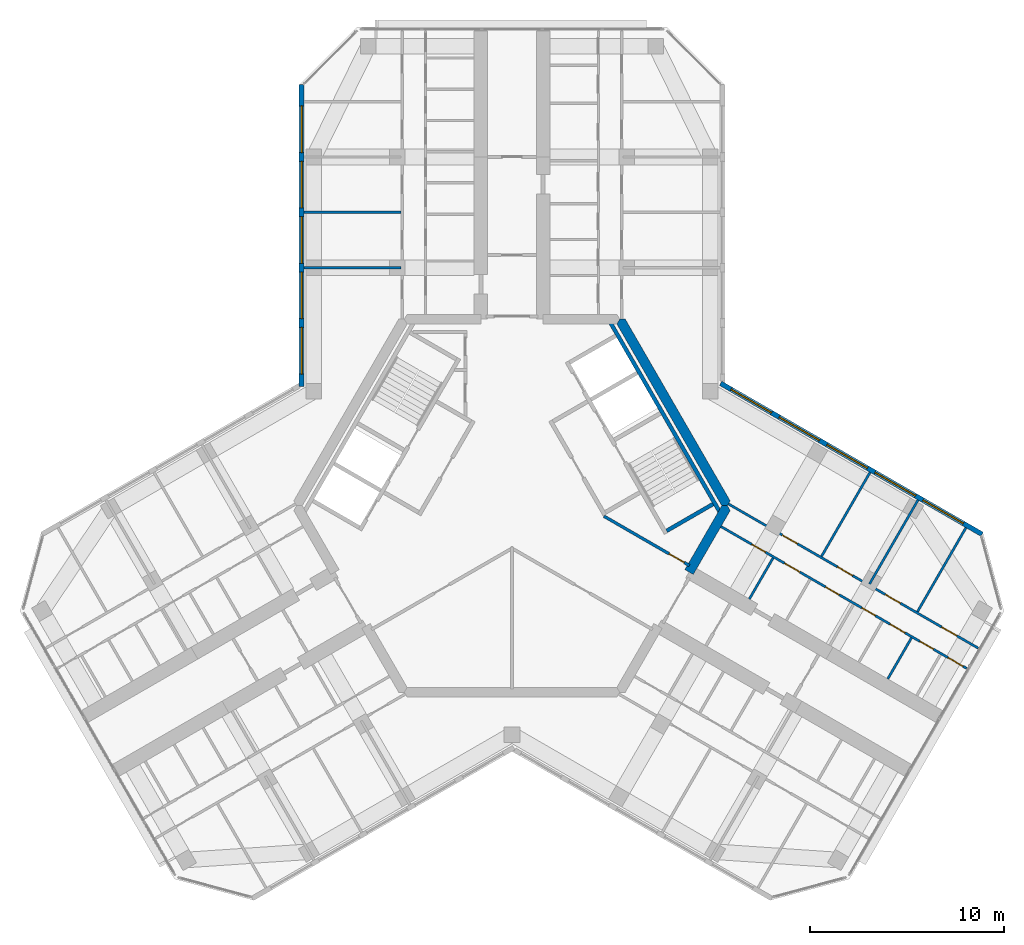
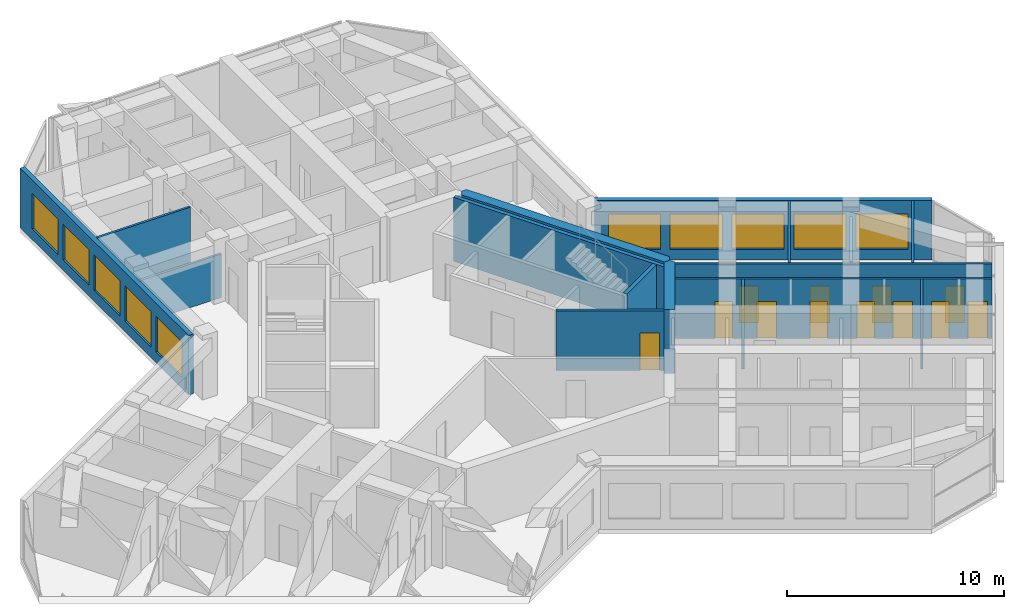
# One storey, part 11 of 14: 16 walls, 12 doors, 10 windows, 22 openings.
"""IFC4 building model written with IfcOpenShell, lengths in metres."""

from ifc_helpers import new_model, si_unit, direction, frame, frame_2d, origin, place, context, subcontext, project, spatial, polyline, rectangle, outline, extrude, material, layer, layer_set, type_object, element, fill, save


model = new_model("IFC4")

# Units and contexts
model_context = context("Model", 3, precision=1e-05, world=origin(), true_north=direction((0.0, 1.0)))
body_context = subcontext(model_context, "Body", "Model", "MODEL_VIEW")
ifc_project = project(units=[si_unit("LENGTHUNIT", "METRE"), si_unit("AREAUNIT", "SQUARE_METRE"), si_unit("VOLUMEUNIT", "CUBIC_METRE"), si_unit("PLANEANGLEUNIT", "RADIAN"), si_unit("MASSUNIT", "GRAM", prefix="KILO")], contexts=[model_context])

# Site, building, storey
site_placement = place(None, origin())
site = spatial("IfcSite", under=ifc_project, at=site_placement, CompositionType="ELEMENT")
building_placement = place(site_placement, origin())
building = spatial("IfcBuilding", under=site, at=building_placement, Name="Kosmar Iwan School Tower", CompositionType="ELEMENT")
storey_placement = place(building_placement, frame((0.0, 0.0, 292.60009765625)))
storey = spatial("IfcBuildingStorey", under=building, at=storey_placement, Name="L74", CompositionType="ELEMENT", Elevation=292.60009765625)

# Wall, opening, door
ifc_material_1 = material(Name="Gypsum board on steel studs, fire-rated", Category="steel")
ifc_layer_1 = layer(ifc_material_1, 0.14990234375)
ifc_layer_set_1 = layer_set([ifc_layer_1], Name="Core room partition 150")
wall_type_1 = type_object("IfcWallType", Name="Core room partition 150", PredefinedType="PARTITIONING", material=ifc_layer_set_1)
wall_1_placement = place(storey_placement, frame((9.129638671875, -3.0771484375, 0.0), z_axis=(0.0, 0.0, 1.0), x_axis=(-0.866010921276, 0.500025083601, 0.0)))
wall_1 = element("IfcWall", 1, at=wall_1_placement, inside=storey, type_object=wall_type_1, Name="Core room partition L74-CW8", PredefinedType="PARTITIONING", context=body_context, shape_type="SweptSolid", body=[
    extrude(rectangle(XDim=5.074462890625, YDim=0.14990234375, at=frame_2d((2.537109375, 0.0))), origin(), (0.0, 0.0, 1.0), 3.349853515625),
])
opening_1_placement = place(wall_1_placement, frame((0.304931640625, 0.0, 0.0)))
opening_1 = element("IfcOpeningElement", 2, at=opening_1_placement, cuts=wall_1, Name="Opening D14", PredefinedType="OPENING", context=body_context, shape_type="SweptSolid", body=[
    extrude(rectangle(XDim=0.89990234375, YDim=2.10009765625, at=frame_2d((0.449951171875, 1.050048828125))), frame((0.0, 0.0869140625, 0.0), z_axis=(0.0, -1.0, 0.0), x_axis=(1.0, 0.0, 0.0)), (0.0, 0.0, 1.0), 0.173828125),
])
ifc_material_2 = material(Name="Timber fire door in steel frame", Category="steel")
door_type_1 = type_object("IfcDoorType", Name="Core room door 900x2100", OperationType="SINGLE_SWING_LEFT", PredefinedType="DOOR", material=ifc_material_2)
door_1_placement = place(opening_1_placement, origin())
door_1 = element("IfcDoor", 3, at=door_1_placement, inside=storey, type_object=door_type_1, Name="Cleaner's store door L74 5", OperationType="SINGLE_SWING_LEFT", OverallHeight=2.10009765625, OverallWidth=0.89990234375, PredefinedType="DOOR", context=body_context, shape_type="SweptSolid", body=[
    extrude(rectangle(XDim=0.89990234375, YDim=2.10009765625, at=frame_2d((0.449951171875, 1.050048828125))), frame((0.0, 0.02490234375, 0.0), z_axis=(0.0, -1.0, 0.0), x_axis=(1.0, 0.0, 0.0)), (0.0, 0.0, 1.0), 0.050048828125),
])
fill(opening_1, door_1)

# Walls
ifc_material_3 = material(Name="Concrete C50/60", Category="concrete")
ifc_layer_2 = layer(ifc_material_3, 0.5)
ifc_layer_set_2 = layer_set([ifc_layer_2], Name="Core wall 500")
wall_type_2 = type_object("IfcWallType", Name="Core wall 500", PredefinedType="SHEAR", material=ifc_layer_set_2)
wall_2_placement = place(storey_placement, origin())
element("IfcWall", 4, at=wall_2_placement, inside=storey, type_object=wall_type_2, Name="Core wall F030", PredefinedType="SHEAR", context=body_context, shape_type="SweptSolid", body=[
    extrude(outline(polyline([(10.79638671875, 0.0), (11.085205078125, 0.0), (11.2294921875, 0.25), (5.831298828125, 9.60009765625), (5.54248046875, 9.60009765625), (5.398193359375, 9.35009765625), (10.79638671875, 0.0)])), origin(), (0.0, 0.0, 1.0), 3.599853515625),
])
wall_3_placement = place(storey_placement, origin())
element("IfcWall", 5, at=wall_3_placement, inside=storey, type_object=wall_type_2, Name="Core wall F330b", PredefinedType="SHEAR", context=body_context, shape_type="SweptSolid", body=[
    extrude(outline(polyline([(9.330322265625, -3.539306640625), (11.2294921875, -0.25), (11.085205078125, 0.0), (10.79638671875, 0.0), (8.897216796875, -3.289306640625), (9.330322265625, -3.539306640625)])), origin(), (0.0, 0.0, 1.0), 3.599853515625),
])
ifc_material_4 = material(Name="Gypsum board on steel studs", Category="steel")
ifc_layer_3 = layer(ifc_material_4, 0.1201171875)
ifc_layer_set_3 = layer_set([ifc_layer_3], Name="Dwelling partition 120")
wall_type_3 = type_object("IfcWallType", Name="Dwelling partition 120", PredefinedType="PARTITIONING", material=ifc_layer_set_3)
wall_4_placement = place(storey_placement, frame((-5.7099609375, 12.25, 0.0), z_axis=(0.0, 0.0, 1.0), x_axis=(-1.0, 0.0, 0.0)))
element("IfcWall", 6, at=wall_4_placement, inside=storey, type_object=wall_type_3, Name="Partition L74-AL1-X1", PredefinedType="PARTITIONING", context=body_context, shape_type="SweptSolid", body=[
    extrude(rectangle(XDim=4.989990234375, YDim=0.1201171875, at=frame_2d((2.4951171875, 0.0))), origin(), (0.0, 0.0, 1.0), 2.449951171875),
])
wall_5_placement = place(storey_placement, frame((-5.7099609375, 15.10009765625, 0.0), z_axis=(0.0, 0.0, 1.0), x_axis=(-1.0, 0.0, 0.0)))
element("IfcWall", 7, at=wall_5_placement, inside=storey, type_object=wall_type_3, Name="Partition L74-AL1-X2", PredefinedType="PARTITIONING", context=body_context, shape_type="SweptSolid", body=[
    extrude(rectangle(XDim=4.989990234375, YDim=0.1201171875, at=frame_2d((2.4951171875, 0.0))), origin(), (0.0, 0.0, 1.0), 3.349853515625),
])

# Wall, openings, doors
wall_6_placement = place(storey_placement, frame((10.75537109375, -1.0712890625, 0.0), z_axis=(0.0, 0.0, 1.0), x_axis=(0.866029591389, -0.499992746786, 0.0)))
wall_6 = element("IfcWall", 8, at=wall_6_placement, inside=storey, type_object=wall_type_3, Name="Partition L74-CL1-W1", PredefinedType="PARTITIONING", context=body_context, shape_type="SweptSolid", body=[
    extrude(rectangle(XDim=14.594970703125, YDim=0.1201171875, at=frame_2d((7.29736328125, 0.0))), origin(), (0.0, 0.0, 1.0), 3.349853515625),
])
opening_2_placement = place(wall_6_placement, frame((1.840087890625, 0.0, 0.0)))
opening_2 = element("IfcOpeningElement", 9, at=opening_2_placement, cuts=wall_6, Name="Opening D3", PredefinedType="OPENING", context=body_context, shape_type="SweptSolid", body=[
    extrude(rectangle(XDim=0.800048828125, YDim=2.10009765625, at=frame_2d((0.39990234375, 1.050048828125))), frame((0.0, 0.072021484375, 0.0), z_axis=(0.0, -1.0, 0.0), x_axis=(1.0, 0.0, 0.0)), (0.0, 0.0, 1.0), 0.14404296875),
])
opening_3_placement = place(wall_6_placement, frame((3.780029296875, 0.0, 0.0)))
opening_3 = element("IfcOpeningElement", 10, at=opening_3_placement, cuts=wall_6, Name="Opening D2", PredefinedType="OPENING", context=body_context, shape_type="SweptSolid", body=[
    extrude(rectangle(XDim=0.89990234375, YDim=2.10009765625, at=frame_2d((0.449951171875, 1.050048828125))), frame((0.0, 0.072021484375, 0.0), z_axis=(0.0, -1.0, 0.0), x_axis=(1.0, 0.0, 0.0)), (0.0, 0.0, 1.0), 0.14404296875),
])
opening_4_placement = place(wall_6_placement, frame((6.221435546875, 0.0, 0.0)))
opening_4 = element("IfcOpeningElement", 11, at=opening_4_placement, cuts=wall_6, Name="Opening D3", PredefinedType="OPENING", context=body_context, shape_type="SweptSolid", body=[
    extrude(rectangle(XDim=0.800048828125, YDim=2.10009765625, at=frame_2d((0.39990234375, 1.050048828125))), frame((0.0, 0.072021484375, 0.0), z_axis=(0.0, -1.0, 0.0), x_axis=(1.0, 0.0, 0.0)), (0.0, 0.0, 1.0), 0.14404296875),
])
opening_5_placement = place(wall_6_placement, frame((8.37353515625, 0.0, 0.0)))
opening_5 = element("IfcOpeningElement", 12, at=opening_5_placement, cuts=wall_6, Name="Opening D3", PredefinedType="OPENING", context=body_context, shape_type="SweptSolid", body=[
    extrude(rectangle(XDim=0.800048828125, YDim=2.10009765625, at=frame_2d((0.39990234375, 1.050048828125))), frame((0.0, 0.072021484375, 0.0), z_axis=(0.0, -1.0, 0.0), x_axis=(1.0, 0.0, 0.0)), (0.0, 0.0, 1.0), 0.14404296875),
])
opening_6_placement = place(wall_6_placement, frame((10.04541015625, 0.0, 0.0)))
opening_6 = element("IfcOpeningElement", 13, at=opening_6_placement, cuts=wall_6, Name="Opening D2", PredefinedType="OPENING", context=body_context, shape_type="SweptSolid", body=[
    extrude(rectangle(XDim=0.89990234375, YDim=2.10009765625, at=frame_2d((0.449951171875, 1.050048828125))), frame((0.0, 0.072021484375, 0.0), z_axis=(0.0, -1.0, 0.0), x_axis=(1.0, 0.0, 0.0)), (0.0, 0.0, 1.0), 0.14404296875),
])
opening_7_placement = place(wall_6_placement, frame((11.8173828125, 0.0, 0.0)))
opening_7 = element("IfcOpeningElement", 14, at=opening_7_placement, cuts=wall_6, Name="Opening D3", PredefinedType="OPENING", context=body_context, shape_type="SweptSolid", body=[
    extrude(rectangle(XDim=0.800048828125, YDim=2.10009765625, at=frame_2d((0.39990234375, 1.050048828125))), frame((0.0, 0.072021484375, 0.0), z_axis=(0.0, -1.0, 0.0), x_axis=(1.0, 0.0, 0.0)), (0.0, 0.0, 1.0), 0.14404296875),
])
opening_8_placement = place(wall_6_placement, frame((13.489013671875, 0.0, 0.0)))
opening_8 = element("IfcOpeningElement", 15, at=opening_8_placement, cuts=wall_6, Name="Opening D2", PredefinedType="OPENING", context=body_context, shape_type="SweptSolid", body=[
    extrude(rectangle(XDim=0.89990234375, YDim=2.10009765625, at=frame_2d((0.449951171875, 1.050048828125))), frame((0.0, 0.072021484375, 0.0), z_axis=(0.0, -1.0, 0.0), x_axis=(1.0, 0.0, 0.0)), (0.0, 0.0, 1.0), 0.14404296875),
])
ifc_material_5 = material(Name="Timber door in timber frame", Category="wood")
door_type_2 = type_object("IfcDoorType", Name="Internal door 900x2100", OperationType="SINGLE_SWING_LEFT", PredefinedType="DOOR", material=ifc_material_5)
door_2_placement = place(opening_3_placement, origin())
door_2 = element("IfcDoor", 16, at=door_2_placement, inside=storey, type_object=door_type_2, Name="Entrance hall door L74-CL1-S2", OperationType="SINGLE_SWING_LEFT", OverallHeight=2.10009765625, OverallWidth=0.89990234375, PredefinedType="DOOR", context=body_context, shape_type="SweptSolid", body=[
    extrude(rectangle(XDim=0.89990234375, YDim=2.10009765625, at=frame_2d((0.449951171875, 1.050048828125))), frame((0.0, 0.02490234375, 0.0), z_axis=(0.0, -1.0, 0.0), x_axis=(1.0, 0.0, 0.0)), (0.0, 0.0, 1.0), 0.050048828125),
])
fill(opening_3, door_2)
door_3_placement = place(opening_6_placement, origin())
door_3 = element("IfcDoor", 17, at=door_3_placement, inside=storey, type_object=door_type_2, Name="Pantry door L74-CL1-S5", OperationType="SINGLE_SWING_RIGHT", OverallHeight=2.10009765625, OverallWidth=0.89990234375, PredefinedType="DOOR", context=body_context, shape_type="SweptSolid", body=[
    extrude(rectangle(XDim=0.89990234375, YDim=2.10009765625, at=frame_2d((0.449951171875, 1.050048828125))), frame((0.0, 0.02490234375, 0.0), z_axis=(0.0, -1.0, 0.0), x_axis=(1.0, 0.0, 0.0)), (0.0, 0.0, 1.0), 0.050048828125),
])
fill(opening_6, door_3)
door_4_placement = place(opening_8_placement, origin())
door_4 = element("IfcDoor", 18, at=door_4_placement, inside=storey, type_object=door_type_2, Name="Utility room door L74-CL1-S7", OperationType="SINGLE_SWING_RIGHT", OverallHeight=2.10009765625, OverallWidth=0.89990234375, PredefinedType="DOOR", context=body_context, shape_type="SweptSolid", body=[
    extrude(rectangle(XDim=0.89990234375, YDim=2.10009765625, at=frame_2d((0.449951171875, 1.050048828125))), frame((0.0, 0.02490234375, 0.0), z_axis=(0.0, -1.0, 0.0), x_axis=(1.0, 0.0, 0.0)), (0.0, 0.0, 1.0), 0.050048828125),
])
fill(opening_8, door_4)
ifc_material_6 = material(Name="Timber door in timber frame", Category="wood")
door_type_3 = type_object("IfcDoorType", Name="Sanitary room door 800x2100", OperationType="SINGLE_SWING_LEFT", PredefinedType="DOOR", material=ifc_material_6)
door_5_placement = place(opening_2_placement, origin())
door_5 = element("IfcDoor", 19, at=door_5_placement, inside=storey, type_object=door_type_3, Name="Store door L74-CL1-S1", OperationType="SINGLE_SWING_LEFT", OverallHeight=2.10009765625, OverallWidth=0.800048828125, PredefinedType="DOOR", context=body_context, shape_type="SweptSolid", body=[
    extrude(rectangle(XDim=0.800048828125, YDim=2.10009765625, at=frame_2d((0.39990234375, 1.050048828125))), frame((0.0, 0.02490234375, 0.0), z_axis=(0.0, -1.0, 0.0), x_axis=(1.0, 0.0, 0.0)), (0.0, 0.0, 1.0), 0.050048828125),
])
fill(opening_2, door_5)
door_6_placement = place(opening_4_placement, origin())
door_6 = element("IfcDoor", 20, at=door_6_placement, inside=storey, type_object=door_type_3, Name="Bathroom door L74-CL1-S3", OperationType="SINGLE_SWING_LEFT", OverallHeight=2.10009765625, OverallWidth=0.800048828125, PredefinedType="DOOR", context=body_context, shape_type="SweptSolid", body=[
    extrude(rectangle(XDim=0.800048828125, YDim=2.10009765625, at=frame_2d((0.39990234375, 1.050048828125))), frame((0.0, 0.02490234375, 0.0), z_axis=(0.0, -1.0, 0.0), x_axis=(1.0, 0.0, 0.0)), (0.0, 0.0, 1.0), 0.050048828125),
])
fill(opening_4, door_6)
door_7_placement = place(opening_5_placement, origin())
door_7 = element("IfcDoor", 21, at=door_7_placement, inside=storey, type_object=door_type_3, Name="Shower room door L74-CL1-S4", OperationType="SINGLE_SWING_RIGHT", OverallHeight=2.10009765625, OverallWidth=0.800048828125, PredefinedType="DOOR", context=body_context, shape_type="SweptSolid", body=[
    extrude(rectangle(XDim=0.800048828125, YDim=2.10009765625, at=frame_2d((0.39990234375, 1.050048828125))), frame((0.0, 0.02490234375, 0.0), z_axis=(0.0, -1.0, 0.0), x_axis=(1.0, 0.0, 0.0)), (0.0, 0.0, 1.0), 0.050048828125),
])
fill(opening_5, door_7)
door_8_placement = place(opening_7_placement, origin())
door_8 = element("IfcDoor", 22, at=door_8_placement, inside=storey, type_object=door_type_3, Name="WC door L74-CL1-S6", OperationType="SINGLE_SWING_RIGHT", OverallHeight=2.10009765625, OverallWidth=0.800048828125, PredefinedType="DOOR", context=body_context, shape_type="SweptSolid", body=[
    extrude(rectangle(XDim=0.800048828125, YDim=2.10009765625, at=frame_2d((0.39990234375, 1.050048828125))), frame((0.0, 0.02490234375, 0.0), z_axis=(0.0, -1.0, 0.0), x_axis=(1.0, 0.0, 0.0)), (0.0, 0.0, 1.0), 0.050048828125),
])
fill(opening_7, door_8)

wall_7_placement = place(storey_placement, frame((11.138916015625, 0.093017578125, 0.0), z_axis=(0.0, 0.0, 1.0), x_axis=(0.866030301974, -0.499991515992, 0.0)))
wall_7 = element("IfcWall", 23, at=wall_7_placement, inside=storey, type_object=wall_type_3, Name="Partition L74-CL1-W2", PredefinedType="PARTITIONING", context=body_context, shape_type="SweptSolid", body=[
    extrude(rectangle(XDim=14.844970703125, YDim=0.1201171875, at=frame_2d((7.42236328125, 0.0))), origin(), (0.0, 0.0, 1.0), 3.349853515625),
])
opening_9_placement = place(wall_7_placement, frame((3.199951171875, 0.0, 0.0)))
opening_9 = element("IfcOpeningElement", 24, at=opening_9_placement, cuts=wall_7, Name="Opening D2", PredefinedType="OPENING", context=body_context, shape_type="SweptSolid", body=[
    extrude(rectangle(XDim=0.89990234375, YDim=2.10009765625, at=frame_2d((0.449951171875, 1.050048828125))), frame((0.0, 0.072021484375, 0.0), z_axis=(0.0, -1.0, 0.0), x_axis=(1.0, 0.0, 0.0)), (0.0, 0.0, 1.0), 0.14404296875),
])
opening_10_placement = place(wall_7_placement, frame((6.47509765625, 0.0, 0.0)))
opening_10 = element("IfcOpeningElement", 25, at=opening_10_placement, cuts=wall_7, Name="Opening D2", PredefinedType="OPENING", context=body_context, shape_type="SweptSolid", body=[
    extrude(rectangle(XDim=0.89990234375, YDim=2.10009765625, at=frame_2d((0.449951171875, 1.050048828125))), frame((0.0, 0.072021484375, 0.0), z_axis=(0.0, -1.0, 0.0), x_axis=(1.0, 0.0, 0.0)), (0.0, 0.0, 1.0), 0.14404296875),
])
opening_11_placement = place(wall_7_placement, frame((9.324951171875, 0.0, 0.0)))
opening_11 = element("IfcOpeningElement", 26, at=opening_11_placement, cuts=wall_7, Name="Opening D2", PredefinedType="OPENING", context=body_context, shape_type="SweptSolid", body=[
    extrude(rectangle(XDim=0.89990234375, YDim=2.10009765625, at=frame_2d((0.449951171875, 1.050048828125))), frame((0.0, 0.072021484375, 0.0), z_axis=(0.0, -1.0, 0.0), x_axis=(1.0, 0.0, 0.0)), (0.0, 0.0, 1.0), 0.14404296875),
])
opening_12_placement = place(wall_7_placement, frame((12.675048828125, 0.0, 0.0)))
opening_12 = element("IfcOpeningElement", 27, at=opening_12_placement, cuts=wall_7, Name="Opening D2", PredefinedType="OPENING", context=body_context, shape_type="SweptSolid", body=[
    extrude(rectangle(XDim=0.89990234375, YDim=2.10009765625, at=frame_2d((0.449951171875, 1.050048828125))), frame((0.0, 0.072021484375, 0.0), z_axis=(0.0, -1.0, 0.0), x_axis=(1.0, 0.0, 0.0)), (0.0, 0.0, 1.0), 0.14404296875),
])
door_9_placement = place(opening_9_placement, origin())
door_9 = element("IfcDoor", 28, at=door_9_placement, inside=storey, type_object=door_type_2, Name="Kitchen and dining room door L74-CL1-F1", OperationType="SINGLE_SWING_RIGHT", OverallHeight=2.10009765625, OverallWidth=0.89990234375, PredefinedType="DOOR", context=body_context, shape_type="SweptSolid", body=[
    extrude(rectangle(XDim=0.89990234375, YDim=2.10009765625, at=frame_2d((0.449951171875, 1.050048828125))), frame((0.0, 0.02490234375, 0.0), z_axis=(0.0, -1.0, 0.0), x_axis=(1.0, 0.0, 0.0)), (0.0, 0.0, 1.0), 0.050048828125),
])
fill(opening_9, door_9)
door_10_placement = place(opening_10_placement, origin())
door_10 = element("IfcDoor", 29, at=door_10_placement, inside=storey, type_object=door_type_2, Name="Bedroom 1 door L74-CL1-F2", OperationType="SINGLE_SWING_RIGHT", OverallHeight=2.10009765625, OverallWidth=0.89990234375, PredefinedType="DOOR", context=body_context, shape_type="SweptSolid", body=[
    extrude(rectangle(XDim=0.89990234375, YDim=2.10009765625, at=frame_2d((0.449951171875, 1.050048828125))), frame((0.0, 0.02490234375, 0.0), z_axis=(0.0, -1.0, 0.0), x_axis=(1.0, 0.0, 0.0)), (0.0, 0.0, 1.0), 0.050048828125),
])
fill(opening_10, door_10)
door_11_placement = place(opening_11_placement, origin())
door_11 = element("IfcDoor", 30, at=door_11_placement, inside=storey, type_object=door_type_2, Name="Living room door L74-CL1-F3", OperationType="SINGLE_SWING_LEFT", OverallHeight=2.10009765625, OverallWidth=0.89990234375, PredefinedType="DOOR", context=body_context, shape_type="SweptSolid", body=[
    extrude(rectangle(XDim=0.89990234375, YDim=2.10009765625, at=frame_2d((0.449951171875, 1.050048828125))), frame((0.0, 0.02490234375, 0.0), z_axis=(0.0, -1.0, 0.0), x_axis=(1.0, 0.0, 0.0)), (0.0, 0.0, 1.0), 0.050048828125),
])
fill(opening_11, door_11)
door_12_placement = place(opening_12_placement, origin())
door_12 = element("IfcDoor", 31, at=door_12_placement, inside=storey, type_object=door_type_2, Name="Bedroom 2 door L74-CL1-F4", OperationType="SINGLE_SWING_RIGHT", OverallHeight=2.10009765625, OverallWidth=0.89990234375, PredefinedType="DOOR", context=body_context, shape_type="SweptSolid", body=[
    extrude(rectangle(XDim=0.89990234375, YDim=2.10009765625, at=frame_2d((0.449951171875, 1.050048828125))), frame((0.0, 0.02490234375, 0.0), z_axis=(0.0, -1.0, 0.0), x_axis=(1.0, 0.0, 0.0)), (0.0, 0.0, 1.0), 0.050048828125),
])
fill(opening_12, door_12)

# Walls
wall_8_placement = place(storey_placement, frame((15.931884765625, -2.60498046875, 0.0), z_axis=(0.0, 0.0, 1.0), x_axis=(0.500011847778, 0.866018563358, 0.0)))
element("IfcWall", 32, at=wall_8_placement, inside=storey, type_object=wall_type_3, Name="Partition L74-CL1-X1", PredefinedType="PARTITIONING", context=body_context, shape_type="SweptSolid", body=[
    extrude(rectangle(XDim=4.990234375, YDim=0.1201171875, at=frame_2d((2.4951171875, 0.0))), origin(), (0.0, 0.0, 1.0), 3.349853515625),
])
wall_9_placement = place(storey_placement, frame((18.400146484375, -4.030029296875, 0.0), z_axis=(0.0, 0.0, 1.0), x_axis=(0.500011847778, 0.866018563358, 0.0)))
element("IfcWall", 33, at=wall_9_placement, inside=storey, type_object=wall_type_3, Name="Partition L74-CL1-X2", PredefinedType="PARTITIONING", context=body_context, shape_type="SweptSolid", body=[
    extrude(rectangle(XDim=4.990234375, YDim=0.1201171875, at=frame_2d((2.4951171875, 0.0))), origin(), (0.0, 0.0, 1.0), 2.449951171875),
])
wall_10_placement = place(storey_placement, frame((20.868408203125, -5.455078125, 0.0), z_axis=(0.0, 0.0, 1.0), x_axis=(0.499975153383, 0.86603974851, 0.0)))
element("IfcWall", 34, at=wall_10_placement, inside=storey, type_object=wall_type_3, Name="Partition L74-CL1-X3", PredefinedType="PARTITIONING", context=body_context, shape_type="SweptSolid", body=[
    extrude(rectangle(XDim=4.989990234375, YDim=0.1201171875, at=frame_2d((2.4951171875, 0.0))), origin(), (0.0, 0.0, 1.0), 3.349853515625),
])
wall_11_placement = place(storey_placement, frame((12.216064453125, -4.80126953125, 0.0), z_axis=(0.0, 0.0, 1.0), x_axis=(0.500002508028, 0.866023955769, 0.0)))
element("IfcWall", 35, at=wall_11_placement, inside=storey, type_object=wall_type_3, Name="Partition L74-CL1-Y1", PredefinedType="PARTITIONING", context=body_context, shape_type="SweptSolid", body=[
    extrude(rectangle(XDim=2.43994140625, YDim=0.1201171875, at=frame_2d((1.219970703125, 0.0))), origin(), (0.0, 0.0, 1.0), 3.349853515625),
])
wall_12_placement = place(storey_placement, frame((19.34033203125, -8.91455078125, 0.0), z_axis=(0.0, 0.0, 1.0), x_axis=(0.499959183527, 0.866048967903, 0.0)))
element("IfcWall", 36, at=wall_12_placement, inside=storey, type_object=wall_type_3, Name="Partition L74-CL1-Y5", PredefinedType="PARTITIONING", context=body_context, shape_type="SweptSolid", body=[
    extrude(rectangle(XDim=2.440185546875, YDim=0.1201171875, at=frame_2d((1.22021484375, 0.0))), origin(), (0.0, 0.0, 1.0), 3.349853515625),
])

# Wall, openings, windows
ifc_material_7 = material(Name="Black aluminium rainscreen on insulated framing", Category="aluminium")
ifc_layer_4 = layer(ifc_material_7, 0.25)
ifc_layer_set_4 = layer_set([ifc_layer_4], Name="External wall rainscreen 250")
wall_type_4 = type_object("IfcWallType", Name="External wall rainscreen 250", PredefinedType="SOLIDWALL", material=ifc_layer_set_4)
wall_13_placement = place(storey_placement, frame((10.73681640625, 6.30078125, 0.0), z_axis=(0.0, 0.0, 1.0), x_axis=(0.866023091024, -0.500004005797, 0.0)))
wall_13 = element("IfcWall", 37, at=wall_13_placement, inside=storey, type_object=wall_type_4, Name="External wall CL L74", PredefinedType="SOLIDWALL", context=body_context, shape_type="SweptSolid", body=[
    extrude(rectangle(XDim=15.537353515625, YDim=0.25, at=frame_2d((7.7685546875, 0.0))), origin(), (0.0, 0.0, 1.0), 3.349853515625),
])
opening_13_placement = place(wall_13_placement, frame((0.626953125, 0.0, 0.60009765625)))
opening_13 = element("IfcOpeningElement", 38, at=opening_13_placement, cuts=wall_13, Name="Opening W6", PredefinedType="OPENING", context=body_context, shape_type="SweptSolid", body=[
    extrude(rectangle(XDim=2.39990234375, YDim=2.0, at=frame_2d((1.199951171875, 1.0))), frame((0.0, 0.136962890625, 0.0), z_axis=(0.0, -1.0, 0.0), x_axis=(1.0, 0.0, 0.0)), (0.0, 0.0, 1.0), 0.27392578125),
])
opening_14_placement = place(wall_13_placement, frame((3.47705078125, 0.0, 0.60009765625)))
opening_14 = element("IfcOpeningElement", 39, at=opening_14_placement, cuts=wall_13, Name="Opening W6", PredefinedType="OPENING", context=body_context, shape_type="SweptSolid", body=[
    extrude(rectangle(XDim=2.39990234375, YDim=2.0, at=frame_2d((1.199951171875, 1.0))), frame((0.0, 0.136962890625, 0.0), z_axis=(0.0, -1.0, 0.0), x_axis=(1.0, 0.0, 0.0)), (0.0, 0.0, 1.0), 0.27392578125),
])
opening_15_placement = place(wall_13_placement, frame((6.326904296875, 0.0, 0.60009765625)))
opening_15 = element("IfcOpeningElement", 40, at=opening_15_placement, cuts=wall_13, Name="Opening W6", PredefinedType="OPENING", context=body_context, shape_type="SweptSolid", body=[
    extrude(rectangle(XDim=2.39990234375, YDim=2.0, at=frame_2d((1.199951171875, 1.0))), frame((0.0, 0.136962890625, 0.0), z_axis=(0.0, -1.0, 0.0), x_axis=(1.0, 0.0, 0.0)), (0.0, 0.0, 1.0), 0.27392578125),
])
opening_16_placement = place(wall_13_placement, frame((9.177001953125, 0.0, 0.60009765625)))
opening_16 = element("IfcOpeningElement", 41, at=opening_16_placement, cuts=wall_13, Name="Opening W6", PredefinedType="OPENING", context=body_context, shape_type="SweptSolid", body=[
    extrude(rectangle(XDim=2.39990234375, YDim=2.0, at=frame_2d((1.199951171875, 1.0))), frame((0.0, 0.136962890625, 0.0), z_axis=(0.0, -1.0, 0.0), x_axis=(1.0, 0.0, 0.0)), (0.0, 0.0, 1.0), 0.27392578125),
])
opening_17_placement = place(wall_13_placement, frame((12.027099609375, 0.0, 0.60009765625)))
opening_17 = element("IfcOpeningElement", 42, at=opening_17_placement, cuts=wall_13, Name="Opening W6", PredefinedType="OPENING", context=body_context, shape_type="SweptSolid", body=[
    extrude(rectangle(XDim=2.39990234375, YDim=2.0, at=frame_2d((1.199951171875, 1.0))), frame((0.0, 0.136962890625, 0.0), z_axis=(0.0, -1.0, 0.0), x_axis=(1.0, 0.0, 0.0)), (0.0, 0.0, 1.0), 0.27392578125),
])
ifc_material_8 = material(Name="Black aluminium frame with dark triple glazing", Category="aluminium")
window_type = type_object("IfcWindowType", Name="Window 2400x2000", PartitioningType="SINGLE_PANEL", PredefinedType="WINDOW", material=ifc_material_8)
window_1_placement = place(opening_13_placement, origin())
window_1 = element("IfcWindow", 43, at=window_1_placement, inside=storey, type_object=window_type, Name="Window CL L74 -1", OverallHeight=2.0, OverallWidth=2.39990234375, PartitioningType="SINGLE_PANEL", PredefinedType="WINDOW", context=body_context, shape_type="SweptSolid", body=[
    extrude(rectangle(XDim=2.39990234375, YDim=2.0, at=frame_2d((1.199951171875, 1.0))), frame((0.0, 0.030029296875, 0.0), z_axis=(0.0, -1.0, 0.0), x_axis=(1.0, 0.0, 0.0)), (0.0, 0.0, 1.0), 0.06005859375),
])
fill(opening_13, window_1)
window_2_placement = place(opening_14_placement, origin())
window_2 = element("IfcWindow", 44, at=window_2_placement, inside=storey, type_object=window_type, Name="Window CL L74 0", OverallHeight=2.0, OverallWidth=2.39990234375, PartitioningType="SINGLE_PANEL", PredefinedType="WINDOW", context=body_context, shape_type="SweptSolid", body=[
    extrude(rectangle(XDim=2.39990234375, YDim=2.0, at=frame_2d((1.199951171875, 1.0))), frame((0.0, 0.030029296875, 0.0), z_axis=(0.0, -1.0, 0.0), x_axis=(1.0, 0.0, 0.0)), (0.0, 0.0, 1.0), 0.06005859375),
])
fill(opening_14, window_2)
window_3_placement = place(opening_15_placement, origin())
window_3 = element("IfcWindow", 45, at=window_3_placement, inside=storey, type_object=window_type, Name="Window CL L74 1", OverallHeight=2.0, OverallWidth=2.39990234375, PartitioningType="SINGLE_PANEL", PredefinedType="WINDOW", context=body_context, shape_type="SweptSolid", body=[
    extrude(rectangle(XDim=2.39990234375, YDim=2.0, at=frame_2d((1.199951171875, 1.0))), frame((0.0, 0.030029296875, 0.0), z_axis=(0.0, -1.0, 0.0), x_axis=(1.0, 0.0, 0.0)), (0.0, 0.0, 1.0), 0.06005859375),
])
fill(opening_15, window_3)
window_4_placement = place(opening_16_placement, origin())
window_4 = element("IfcWindow", 46, at=window_4_placement, inside=storey, type_object=window_type, Name="Window CL L74 2", OverallHeight=2.0, OverallWidth=2.39990234375, PartitioningType="SINGLE_PANEL", PredefinedType="WINDOW", context=body_context, shape_type="SweptSolid", body=[
    extrude(rectangle(XDim=2.39990234375, YDim=2.0, at=frame_2d((1.199951171875, 1.0))), frame((0.0, 0.030029296875, 0.0), z_axis=(0.0, -1.0, 0.0), x_axis=(1.0, 0.0, 0.0)), (0.0, 0.0, 1.0), 0.06005859375),
])
fill(opening_16, window_4)
window_5_placement = place(opening_17_placement, origin())
window_5 = element("IfcWindow", 47, at=window_5_placement, inside=storey, type_object=window_type, Name="Window CL L74 3", OverallHeight=2.0, OverallWidth=2.39990234375, PartitioningType="SINGLE_PANEL", PredefinedType="WINDOW", context=body_context, shape_type="SweptSolid", body=[
    extrude(rectangle(XDim=2.39990234375, YDim=2.0, at=frame_2d((1.199951171875, 1.0))), frame((0.0, 0.030029296875, 0.0), z_axis=(0.0, -1.0, 0.0), x_axis=(1.0, 0.0, 0.0)), (0.0, 0.0, 1.0), 0.06005859375),
])
fill(opening_17, window_5)

wall_14_placement = place(storey_placement, frame((-10.824951171875, 6.14794921875, 0.0), z_axis=(0.0, 0.0, 1.0), x_axis=(0.0, 1.0, 0.0)))
wall_14 = element("IfcWall", 48, at=wall_14_placement, inside=storey, type_object=wall_type_4, Name="External wall AL L74", PredefinedType="SOLIDWALL", context=body_context, shape_type="SweptSolid", body=[
    extrude(rectangle(XDim=15.537353515625, YDim=0.25, at=frame_2d((7.7685546875, 0.0))), origin(), (0.0, 0.0, 1.0), 3.349853515625),
])
opening_18_placement = place(wall_14_placement, frame((0.626953125, 0.0, 0.60009765625)))
opening_18 = element("IfcOpeningElement", 49, at=opening_18_placement, cuts=wall_14, Name="Opening W6", PredefinedType="OPENING", context=body_context, shape_type="SweptSolid", body=[
    extrude(rectangle(XDim=2.39990234375, YDim=2.0, at=frame_2d((1.199951171875, 1.0))), frame((0.0, 0.136962890625, 0.0), z_axis=(0.0, -1.0, 0.0), x_axis=(1.0, 0.0, 0.0)), (0.0, 0.0, 1.0), 0.27392578125),
])
opening_19_placement = place(wall_14_placement, frame((3.47705078125, 0.0, 0.60009765625)))
opening_19 = element("IfcOpeningElement", 50, at=opening_19_placement, cuts=wall_14, Name="Opening W6", PredefinedType="OPENING", context=body_context, shape_type="SweptSolid", body=[
    extrude(rectangle(XDim=2.39990234375, YDim=2.0, at=frame_2d((1.199951171875, 1.0))), frame((0.0, 0.136962890625, 0.0), z_axis=(0.0, -1.0, 0.0), x_axis=(1.0, 0.0, 0.0)), (0.0, 0.0, 1.0), 0.27392578125),
])
opening_20_placement = place(wall_14_placement, frame((6.326904296875, 0.0, 0.60009765625)))
opening_20 = element("IfcOpeningElement", 51, at=opening_20_placement, cuts=wall_14, Name="Opening W6", PredefinedType="OPENING", context=body_context, shape_type="SweptSolid", body=[
    extrude(rectangle(XDim=2.39990234375, YDim=2.0, at=frame_2d((1.199951171875, 1.0))), frame((0.0, 0.136962890625, 0.0), z_axis=(0.0, -1.0, 0.0), x_axis=(1.0, 0.0, 0.0)), (0.0, 0.0, 1.0), 0.27392578125),
])
opening_21_placement = place(wall_14_placement, frame((9.177001953125, 0.0, 0.60009765625)))
opening_21 = element("IfcOpeningElement", 52, at=opening_21_placement, cuts=wall_14, Name="Opening W6", PredefinedType="OPENING", context=body_context, shape_type="SweptSolid", body=[
    extrude(rectangle(XDim=2.39990234375, YDim=2.0, at=frame_2d((1.199951171875, 1.0))), frame((0.0, 0.136962890625, 0.0), z_axis=(0.0, -1.0, 0.0), x_axis=(1.0, 0.0, 0.0)), (0.0, 0.0, 1.0), 0.27392578125),
])
opening_22_placement = place(wall_14_placement, frame((12.027099609375, 0.0, 0.60009765625)))
opening_22 = element("IfcOpeningElement", 53, at=opening_22_placement, cuts=wall_14, Name="Opening W6", PredefinedType="OPENING", context=body_context, shape_type="SweptSolid", body=[
    extrude(rectangle(XDim=2.39990234375, YDim=2.0, at=frame_2d((1.199951171875, 1.0))), frame((0.0, 0.136962890625, 0.0), z_axis=(0.0, -1.0, 0.0), x_axis=(1.0, 0.0, 0.0)), (0.0, 0.0, 1.0), 0.27392578125),
])
window_6_placement = place(opening_18_placement, origin())
window_6 = element("IfcWindow", 54, at=window_6_placement, inside=storey, type_object=window_type, Name="Window AL L74 -1", OverallHeight=2.0, OverallWidth=2.39990234375, PartitioningType="SINGLE_PANEL", PredefinedType="WINDOW", context=body_context, shape_type="SweptSolid", body=[
    extrude(rectangle(XDim=2.39990234375, YDim=2.0, at=frame_2d((1.199951171875, 1.0))), frame((0.0, 0.030029296875, 0.0), z_axis=(0.0, -1.0, 0.0), x_axis=(1.0, 0.0, 0.0)), (0.0, 0.0, 1.0), 0.06005859375),
])
fill(opening_18, window_6)
window_7_placement = place(opening_19_placement, origin())
window_7 = element("IfcWindow", 55, at=window_7_placement, inside=storey, type_object=window_type, Name="Window AL L74 0", OverallHeight=2.0, OverallWidth=2.39990234375, PartitioningType="SINGLE_PANEL", PredefinedType="WINDOW", context=body_context, shape_type="SweptSolid", body=[
    extrude(rectangle(XDim=2.39990234375, YDim=2.0, at=frame_2d((1.199951171875, 1.0))), frame((0.0, 0.030029296875, 0.0), z_axis=(0.0, -1.0, 0.0), x_axis=(1.0, 0.0, 0.0)), (0.0, 0.0, 1.0), 0.06005859375),
])
fill(opening_19, window_7)
window_8_placement = place(opening_20_placement, origin())
window_8 = element("IfcWindow", 56, at=window_8_placement, inside=storey, type_object=window_type, Name="Window AL L74 1", OverallHeight=2.0, OverallWidth=2.39990234375, PartitioningType="SINGLE_PANEL", PredefinedType="WINDOW", context=body_context, shape_type="SweptSolid", body=[
    extrude(rectangle(XDim=2.39990234375, YDim=2.0, at=frame_2d((1.199951171875, 1.0))), frame((0.0, 0.030029296875, 0.0), z_axis=(0.0, -1.0, 0.0), x_axis=(1.0, 0.0, 0.0)), (0.0, 0.0, 1.0), 0.06005859375),
])
fill(opening_20, window_8)
window_9_placement = place(opening_21_placement, origin())
window_9 = element("IfcWindow", 57, at=window_9_placement, inside=storey, type_object=window_type, Name="Window AL L74 2", OverallHeight=2.0, OverallWidth=2.39990234375, PartitioningType="SINGLE_PANEL", PredefinedType="WINDOW", context=body_context, shape_type="SweptSolid", body=[
    extrude(rectangle(XDim=2.39990234375, YDim=2.0, at=frame_2d((1.199951171875, 1.0))), frame((0.0, 0.030029296875, 0.0), z_axis=(0.0, -1.0, 0.0), x_axis=(1.0, 0.0, 0.0)), (0.0, 0.0, 1.0), 0.06005859375),
])
fill(opening_21, window_9)
window_10_placement = place(opening_22_placement, origin())
window_10 = element("IfcWindow", 58, at=window_10_placement, inside=storey, type_object=window_type, Name="Window AL L74 3", OverallHeight=2.0, OverallWidth=2.39990234375, PartitioningType="SINGLE_PANEL", PredefinedType="WINDOW", context=body_context, shape_type="SweptSolid", body=[
    extrude(rectangle(XDim=2.39990234375, YDim=2.0, at=frame_2d((1.199951171875, 1.0))), frame((0.0, 0.030029296875, 0.0), z_axis=(0.0, -1.0, 0.0), x_axis=(1.0, 0.0, 0.0)), (0.0, 0.0, 1.0), 0.06005859375),
])
fill(opening_22, window_10)

# Walls
ifc_material_9 = material(Name="Concrete C50/60", Category="concrete")
ifc_layer_5 = layer(ifc_material_9, 0.199951171875)
ifc_layer_set_5 = layer_set([ifc_layer_5], Name="Lift shaft wall 200")
wall_type_5 = type_object("IfcWallType", Name="Lift shaft wall 200", PredefinedType="SHEAR", material=ifc_layer_set_5)
wall_15_placement = place(storey_placement, frame((10.680908203125, -0.300048828125, 0.0), z_axis=(0.0, 0.0, 1.0), x_axis=(-0.500004846395, 0.866022605699, 0.0)))
element("IfcWall", 59, at=wall_15_placement, inside=storey, type_object=wall_type_5, Name="Lift and stair back wall AC", PredefinedType="SHEAR", context=body_context, shape_type="SweptSolid", body=[
    extrude(rectangle(XDim=11.20068359375, YDim=0.199951171875, at=frame_2d((5.600341796875, 0.0))), origin(), (0.0, 0.0, 1.0), 3.599853515625),
])
ifc_material_10 = material(Name="Concrete C50/60", Category="concrete")
ifc_layer_6 = layer(ifc_material_10, 0.199951171875)
ifc_layer_set_6 = layer_set([ifc_layer_6], Name="Stair enclosure wall 200")
wall_type_6 = type_object("IfcWallType", Name="Stair enclosure wall 200", PredefinedType="SHEAR", material=ifc_layer_set_6)
wall_16_placement = place(storey_placement, frame((7.962646484375, -1.291748046875, 0.0), z_axis=(0.0, 0.0, 1.0), x_axis=(0.866027397988, 0.499996545922, 0.0)))
element("IfcWall", 60, at=wall_16_placement, inside=storey, type_object=wall_type_6, Name="Stair ST1 wall", PredefinedType="SHEAR", context=body_context, shape_type="SweptSolid", body=[
    extrude(rectangle(XDim=2.75, YDim=0.199951171875, at=frame_2d((1.375, 0.0))), origin(), (0.0, 0.0, 1.0), 3.599853515625),
])

save(model, "model.ifc")
